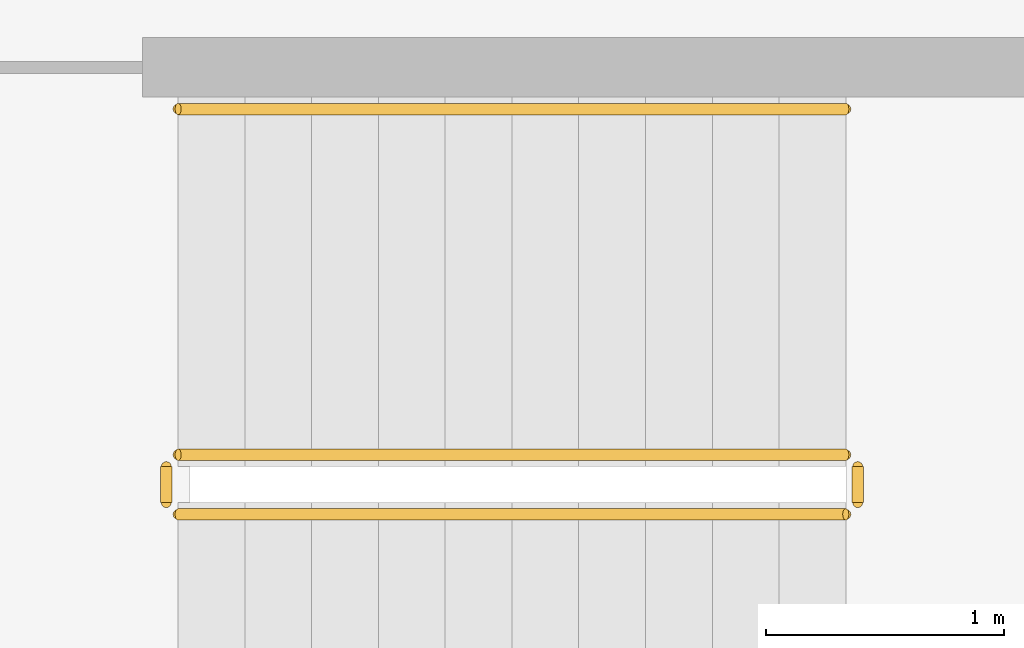
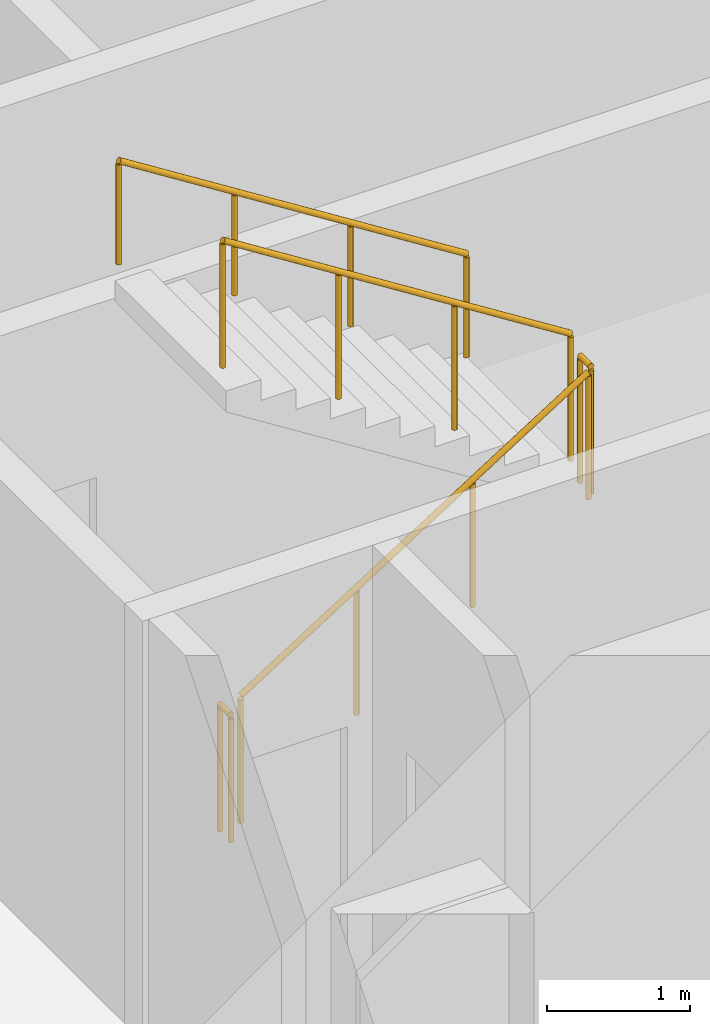
# One storey, part 10 of 17: 5 railings.
"""IFC4 building model written with IfcOpenShell, lengths in metres."""

from ifc_helpers import new_model, si_unit, direction, frame, origin, origin_2d, place, context, subcontext, project, spatial, circle, extrude, material, type_object, element, save


model = new_model("IFC4")

# Units and contexts
model_context = context("Model", 3, precision=1e-05, world=origin(), true_north=direction((0.0, 1.0)))
body_context = subcontext(model_context, "Body", "Model", "MODEL_VIEW")
ifc_project = project(units=[si_unit("LENGTHUNIT", "METRE"), si_unit("AREAUNIT", "SQUARE_METRE"), si_unit("VOLUMEUNIT", "CUBIC_METRE"), si_unit("PLANEANGLEUNIT", "RADIAN"), si_unit("MASSUNIT", "GRAM", prefix="KILO")], contexts=[model_context])

# Site, building, storey
site_placement = place(None, origin())
site = spatial("IfcSite", under=ifc_project, at=site_placement, CompositionType="ELEMENT")
building_placement = place(site_placement, origin())
building = spatial("IfcBuilding", under=site, at=building_placement, Name="Dhurran Vertical Campus", CompositionType="ELEMENT")
storey_placement = place(building_placement, frame((0.0, 0.0, 156.0)))
storey = spatial("IfcBuildingStorey", under=building, at=storey_placement, Name="L38", CompositionType="ELEMENT", Elevation=156.0)

# Railings
ifc_material_1 = material(Name="Stainless steel balustrade", Category="steel")
railing_type_1 = type_object("IfcRailingType", Name="co-RL-GUARD-1100", PredefinedType="GUARDRAIL", material=ifc_material_1)
railing_1_placement = place(storey_placement, frame((-11.10009765625, -9.14990234375, 0.17724609375)))
element("IfcRailing", 1, at=railing_1_placement, inside=storey, type_object=railing_type_1, Name="L38 ST3 stair guard 1", PredefinedType="GUARDRAIL", context=body_context, shape_type="SweptSolid", body=[
    extrude(circle(Radius=0.02392578125, at=origin_2d()), frame((0.0, 0.0, 1.076171875), z_axis=(0.844908973607, 0.0, 0.534910110503), x_axis=(0.0, 1.0, 0.0)), (0.0, 0.0, 1.0), 3.31396484375),
    extrude(circle(Radius=0.02099609375, at=origin_2d()), origin(), (0.0, 0.0, 1.0), 1.052001953125),
    extrude(circle(Radius=0.02099609375, at=origin_2d()), frame((0.933349609375, 0.0, 0.5908203125)), (0.0, 0.0, 1.0), 1.052001953125),
    extrude(circle(Radius=0.02099609375, at=origin_2d()), frame((1.86669921875, 0.0, 1.181884765625)), (0.0, 0.0, 1.0), 1.052001953125),
    extrude(circle(Radius=0.02099609375, at=origin_2d()), frame((2.800048828125, 0.0, 1.772705078125)), (0.0, 0.0, 1.0), 1.052001953125),
])
railing_2_placement = place(storey_placement, frame((-8.25, -9.10009765625, 1.949951171875)))
element("IfcRailing", 2, at=railing_2_placement, inside=storey, type_object=railing_type_1, Name="L38 ST3 stair guard 2", PredefinedType="GUARDRAIL", context=body_context, shape_type="SweptSolid", body=[
    extrude(circle(Radius=0.02392578125, at=origin_2d()), frame((0.0, 0.0, 1.076171875), z_axis=(0.0, 1.0, 0.0), x_axis=(-1.0, 0.0, 0.0)), (0.0, 0.0, 1.0), 0.150146484375),
    extrude(circle(Radius=0.02099609375, at=origin_2d()), origin(), (0.0, 0.0, 1.0), 1.052001953125),
    extrude(circle(Radius=0.02099609375, at=origin_2d()), frame((0.0, 0.150146484375, 0.0)), (0.0, 0.0, 1.0), 1.052001953125),
])
railing_3_placement = place(storey_placement, frame((-8.300048828125, -8.89990234375, 2.127197265625)))
element("IfcRailing", 3, at=railing_3_placement, inside=storey, type_object=railing_type_1, Name="L38 ST3 stair guard 3", PredefinedType="GUARDRAIL", context=body_context, shape_type="SweptSolid", body=[
    extrude(circle(Radius=0.02392578125, at=origin_2d()), frame((0.0, 0.0, 1.076171875), z_axis=(-0.844908973607, 0.0, 0.534910110503), x_axis=(0.0, -1.0, 0.0)), (0.0, 0.0, 1.0), 3.31396484375),
    extrude(circle(Radius=0.02099609375, at=origin_2d()), origin(), (0.0, 0.0, 1.0), 1.052001953125),
    extrude(circle(Radius=0.02099609375, at=origin_2d()), frame((-0.933349609375, 0.0, 0.5908203125)), (0.0, 0.0, 1.0), 1.052001953125),
    extrude(circle(Radius=0.02099609375, at=origin_2d()), frame((-1.86669921875, 0.0, 1.181884765625)), (0.0, 0.0, 1.0), 1.052001953125),
    extrude(circle(Radius=0.02099609375, at=origin_2d()), frame((-2.800048828125, 0.0, 1.772705078125)), (0.0, 0.0, 1.0), 1.052001953125),
])
railing_4_placement = place(storey_placement, frame((-11.14990234375, -9.10009765625, 0.0)))
element("IfcRailing", 4, at=railing_4_placement, inside=storey, type_object=railing_type_1, Name="L38 ST3 stair guard 4", PredefinedType="GUARDRAIL", context=body_context, shape_type="SweptSolid", body=[
    extrude(circle(Radius=0.02392578125, at=origin_2d()), frame((0.0, 0.0, 1.076171875), z_axis=(0.0, 1.0, 0.0), x_axis=(-1.0, 0.0, 0.0)), (0.0, 0.0, 1.0), 0.150146484375),
    extrude(circle(Radius=0.02099609375, at=origin_2d()), origin(), (0.0, 0.0, 1.0), 1.052001953125),
    extrude(circle(Radius=0.02099609375, at=origin_2d()), frame((0.0, 0.150146484375, 0.0)), (0.0, 0.0, 1.0), 1.052001953125),
])
ifc_material_2 = material(Name="Stainless steel handrail", Category="steel")
railing_type_2 = type_object("IfcRailingType", Name="co-RL-HANDRAIL-900", PredefinedType="HANDRAIL", material=ifc_material_2)
railing_5_placement = place(storey_placement, frame((-8.300048828125, -7.449951171875, 2.127197265625)))
element("IfcRailing", 5, at=railing_5_placement, inside=storey, type_object=railing_type_2, Name="L38 ST3 stair handrail 2", PredefinedType="HANDRAIL", context=body_context, shape_type="SweptSolid", body=[
    extrude(circle(Radius=0.02392578125, at=origin_2d()), frame((0.0, 0.0, 0.8759765625), z_axis=(-0.844908973607, 0.0, 0.534910110503), x_axis=(0.0, -1.0, 0.0)), (0.0, 0.0, 1.0), 3.31396484375),
    extrude(circle(Radius=0.02099609375, at=origin_2d()), origin(), (0.0, 0.0, 1.0), 0.851806640625),
    extrude(circle(Radius=0.02099609375, at=origin_2d()), frame((-0.933349609375, 0.0, 0.5908203125)), (0.0, 0.0, 1.0), 0.851806640625),
    extrude(circle(Radius=0.02099609375, at=origin_2d()), frame((-1.86669921875, 0.0, 1.181884765625)), (0.0, 0.0, 1.0), 0.851806640625),
    extrude(circle(Radius=0.02099609375, at=origin_2d()), frame((-2.800048828125, 0.0, 1.772705078125)), (0.0, 0.0, 1.0), 0.851806640625),
])

save(model, "model.ifc")
